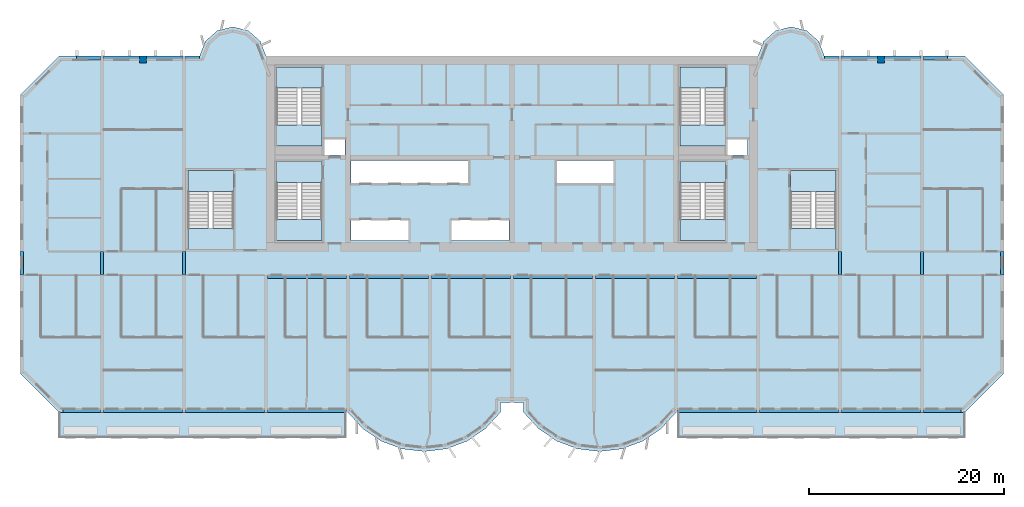
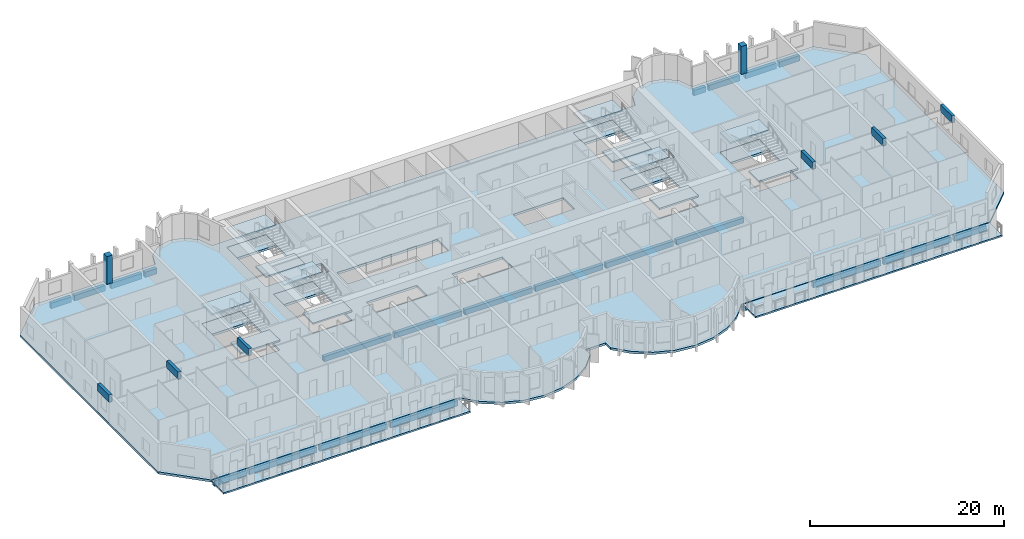
# One storey, part 1 of 15: 28 beams, 21 slabs, 2 columns, 6 elements without a shape of their own.
"""IFC4 building model written with IfcOpenShell, lengths in metres."""

import ifcopenshell
import ifcopenshell.guid

model = None  # the IFC model being written
_history = None  # IfcOwnerHistory: only IFC2X3 demands one
_inside = {}  # id of a spatial element -> (the spatial element, [elements in it])
_under = {}  # id of a project, library or spatial element -> (it, [spatial elements below it])
_declared = {}  # id of a project -> (the project, [libraries it declares])
_typed = {}  # id of a type object -> (the type object, [elements of that type])
_made_of = {}  # id of a material, layer set ... -> (it, [elements and type objects made of it])


def new_model(schema):
    """Start an empty IFC model of exactly this schema.

    Asked for "IFC4X3", IfcOpenShell would pick the latest addendum, in which some entities
    have other attributes; the version numbers below select the first issue.
    IFC2X3 requires an IfcOwnerHistory on every rooted entity: one is made here for all.
    """
    global model, _history
    if schema == "IFC4X3":
        model = ifcopenshell.file(schema_version=(4, 3, 0, 0))
    else:
        model = ifcopenshell.file(schema=schema)
    _inside.clear()
    _under.clear()
    _declared.clear()
    _typed.clear()
    _made_of.clear()
    _history = None
    if model.schema == "IFC2X3":
        org = make("IfcOrganization", Name="unknown")
        user = make(
            "IfcPersonAndOrganization",
            ThePerson=make("IfcPerson", FamilyName="unknown"),
            TheOrganization=org,
        )
        app = make(
            "IfcApplication",
            ApplicationDeveloper=org,
            Version="unknown",
            ApplicationFullName="unknown",
            ApplicationIdentifier="unknown",
        )
        _history = make(
            "IfcOwnerHistory",
            OwningUser=user,
            OwningApplication=app,
            ChangeAction="ADDED",
            CreationDate=0,
        )
    return model


def make(cls, **values):
    """One entity of the class cls with the attributes given. An attribute that is None is left unset."""
    return model.create_entity(
        cls, **{name: value for name, value in values.items() if value is not None}
    )


def rooted(cls, **values):
    """An entity with a GlobalId (a new one), such as an element, a storey or a relation."""
    return make(cls, GlobalId=ifcopenshell.guid.new(), OwnerHistory=_history, **values)


def si_unit(unit_type, name, prefix=None):
    """IfcSIUnit, for example si_unit("LENGTHUNIT", "METRE", prefix="MILLI")."""
    return make("IfcSIUnit", UnitType=unit_type, Prefix=prefix, Name=name)


def assignment(units):
    """IfcUnitAssignment: the units of a project."""
    return None if units is None else make("IfcUnitAssignment", Units=units)


def point(xyz):
    """IfcCartesianPoint."""
    return None if xyz is None else make("IfcCartesianPoint", Coordinates=xyz)


def direction(xyz):
    """IfcDirection."""
    return None if xyz is None else make("IfcDirection", DirectionRatios=xyz)


def frame(location, z_axis=None, x_axis=None):
    """IfcAxis2Placement3D, a coordinate frame: its origin and axes. An axis left out is left unset."""
    return make(
        "IfcAxis2Placement3D",
        Location=point(location),
        Axis=direction(z_axis),
        RefDirection=direction(x_axis),
    )


def frame_2d(location, x_axis=None):
    """IfcAxis2Placement2D, a coordinate frame in the plane: its origin and x axis."""
    return make(
        "IfcAxis2Placement2D", Location=point(location), RefDirection=direction(x_axis)
    )


def origin():
    """The frame at (0, 0, 0) with its axes left unset."""
    return frame((0.0, 0.0, 0.0))


def origin_2d():
    """The frame at (0, 0) in the plane with its x axis left unset."""
    return frame_2d((0.0, 0.0))


def place(relative_to, where):
    """IfcLocalPlacement: puts the frame where relative to a parent placement (None: the world)."""
    return make(
        "IfcLocalPlacement", PlacementRelTo=relative_to, RelativePlacement=where
    )


def context(
    kind, dimensions, precision=None, world=None, true_north=None, identifier=None
):
    """IfcGeometricRepresentationContext, for example the 3D "Model" context."""
    return make(
        "IfcGeometricRepresentationContext",
        ContextIdentifier=identifier,
        ContextType=kind,
        CoordinateSpaceDimension=dimensions,
        Precision=precision,
        WorldCoordinateSystem=world,
        TrueNorth=true_north,
    )


def subcontext(parent, identifier, kind, view, scale=None):
    """IfcGeometricRepresentationSubContext, for example "Body" below "Model"."""
    return make(
        "IfcGeometricRepresentationSubContext",
        ContextIdentifier=identifier,
        ContextType=kind,
        ParentContext=parent,
        TargetScale=scale,
        TargetView=view,
    )


def project(units=None, contexts=None):
    """IfcProject with its units and contexts."""
    return rooted(
        "IfcProject",
        Name="project",
        RepresentationContexts=contexts,
        UnitsInContext=assignment(units),
    )


def spatial(cls, under=None, at=None, **own):
    """A site, building, storey or space (cls), placed at a placement, below another one or the project."""
    s = rooted(cls, ObjectPlacement=at, **own)
    if under is not None:
        _under.setdefault(under.id(), (under, []))[1].append(s)
    return s


def polyline(points):
    """IfcPolyline through the points."""
    return make("IfcPolyline", Points=[point(p) for p in points])


def profile(cls, at=None, kind="AREA", **sizes):
    """A parametric profile (cls). Its sizes go by their IFC names, for example OverallWidth=200.0."""
    return make(cls, ProfileType=kind, Position=at, **sizes)


def rectangle(**sizes):
    """IfcRectangleProfileDef."""
    return profile("IfcRectangleProfileDef", **sizes)


def outline(outer, holes=None, kind="AREA"):
    """IfcArbitraryClosedProfileDef: a profile drawn as a closed curve; with holes, ...WithVoids."""
    if holes is None:
        return make("IfcArbitraryClosedProfileDef", ProfileType=kind, OuterCurve=outer)
    return make(
        "IfcArbitraryProfileDefWithVoids",
        ProfileType=kind,
        OuterCurve=outer,
        InnerCurves=holes,
    )


def extrude(swept, where, along, depth):
    """IfcExtrudedAreaSolid: the profile swept, set in the frame where, extruded along a direction by depth."""
    return make(
        "IfcExtrudedAreaSolid",
        SweptArea=swept,
        Position=where,
        ExtrudedDirection=direction(along),
        Depth=depth,
    )


def shape(context_of_items, identifier, shape_type, items):
    """IfcShapeRepresentation: the items that make up one representation, for example the "Body"."""
    return make(
        "IfcShapeRepresentation",
        ContextOfItems=context_of_items,
        RepresentationIdentifier=identifier,
        RepresentationType=shape_type,
        Items=items,
    )


def source(mapping_origin, context_of_items, identifier, shape_type, items):
    """IfcRepresentationMap: a shape defined once, which mapped items show again and again."""
    return make(
        "IfcRepresentationMap",
        MappingOrigin=mapping_origin,
        MappedRepresentation=shape(context_of_items, identifier, shape_type, items),
    )


def transform(
    local_origin,
    x_axis=None,
    y_axis=None,
    z_axis=None,
    scale=None,
    scale2=None,
    scale3=None,
    uniform=True,
):
    """IfcCartesianTransformationOperator3D, or its non-uniform kind. x_axis, y_axis, z_axis: its Axis1, 2, 3."""
    if uniform:
        return make(
            "IfcCartesianTransformationOperator3D",
            Axis1=direction(x_axis),
            Axis2=direction(y_axis),
            LocalOrigin=point(local_origin),
            Scale=scale,
            Axis3=direction(z_axis),
        )
    return make(
        "IfcCartesianTransformationOperator3DnonUniform",
        Axis1=direction(x_axis),
        Axis2=direction(y_axis),
        LocalOrigin=point(local_origin),
        Scale=scale,
        Axis3=direction(z_axis),
        Scale2=scale2,
        Scale3=scale3,
    )


def mapped(mapping_source, mapping_target):
    """IfcMappedItem: shows the shape of a source again, moved by a transform."""
    return make(
        "IfcMappedItem", MappingSource=mapping_source, MappingTarget=mapping_target
    )


def material(Name=None, Category=None):
    """IfcMaterial."""
    return make("IfcMaterial", Name=Name, Category=Category)


def layer(
    of_material, thickness, ventilated=None, Name=None, Category=None, Priority=None
):
    """IfcMaterialLayer: one layer of a wall or slab, of a material (None: an air gap)."""
    return make(
        "IfcMaterialLayer",
        Material=of_material,
        LayerThickness=thickness,
        IsVentilated=ventilated,
        Name=Name,
        Category=Category,
        Priority=Priority,
    )


def layer_set(layers, Name=None):
    """IfcMaterialLayerSet."""
    return make("IfcMaterialLayerSet", MaterialLayers=layers, LayerSetName=Name)


def material_profile(
    of_material, cross_section, Name=None, Category=None, Priority=None
):
    """IfcMaterialProfile: a cross section and its material."""
    return make(
        "IfcMaterialProfile",
        Name=Name,
        Material=of_material,
        Profile=cross_section,
        Priority=Priority,
        Category=Category,
    )


def profile_set(profiles, Name=None, composite=None):
    """IfcMaterialProfileSet."""
    return make(
        "IfcMaterialProfileSet",
        Name=Name,
        MaterialProfiles=profiles,
        CompositeProfile=composite,
    )


def made_of(thing, what):
    """Note that an element or type object is made of a material, layer set ...; save() writes the relation."""
    if what is not None:
        _made_of.setdefault(what.id(), (what, []))[1].append(thing)
    return thing


def type_object(cls, material=None, **own):
    """A type object (cls), such as IfcWallType, which elements share."""
    return made_of(rooted(cls, **own), material)


def element(
    cls,
    number,
    at=None,
    inside=None,
    cuts=None,
    type_object=None,
    material=None,
    context=None,
    identifier="Body",
    shape_type=None,
    held_by="IfcProductDefinitionShape",
    body=None,
    shapes=None,
    **own,
):
    """One element of the class cls, such as IfcWall. Its Tag is "e" and its number.

    at: its placement. inside: the storey or other place that contains it. cuts: it is an
    opening in that element (IfcRelVoidsElement). A single representation is given by context,
    identifier, shape_type and body (its items); several are given by shapes. held_by: the class
    of the entity that holds the representations. save() writes the other relations.
    """
    e = rooted(cls, Tag="e%d" % number, ObjectPlacement=at, **own)
    if body is not None:
        shapes = [shape(context, identifier, shape_type, body)]
    if shapes is not None:
        e.Representation = make(held_by, Representations=shapes)
    if inside is not None:
        _inside.setdefault(inside.id(), (inside, []))[1].append(e)
    if cuts is not None:
        rooted(
            "IfcRelVoidsElement", RelatingBuildingElement=cuts, RelatedOpeningElement=e
        )
    if type_object is not None:
        _typed.setdefault(type_object.id(), (type_object, []))[1].append(e)
    return made_of(e, material)


def aggregate(whole, parts):
    """IfcRelAggregates: a whole, such as a stair, and the parts it consists of."""
    return rooted("IfcRelAggregates", RelatingObject=whole, RelatedObjects=parts)


def save(model, path):
    """Write the relations noted so far, then the file.

    IfcRelAggregates (storeys below a building ...), IfcRelContainedInSpatialStructure (elements
    in a storey), IfcRelDefinesByType, IfcRelAssociatesMaterial and IfcRelDeclares: one each for
    every whole, place, type object, material and project.
    """
    for whole, parts in _under.values():
        aggregate(whole, parts)
    for where, things in _inside.values():
        rooted(
            "IfcRelContainedInSpatialStructure",
            RelatedElements=things,
            RelatingStructure=where,
        )
    for kind, things in _typed.values():
        rooted("IfcRelDefinesByType", RelatedObjects=things, RelatingType=kind)
    for what, things in _made_of.values():
        rooted("IfcRelAssociatesMaterial", RelatedObjects=things, RelatingMaterial=what)
    for by, libraries in _declared.values():
        rooted("IfcRelDeclares", RelatingContext=by, RelatedDefinitions=libraries)
    model.write(path)


model = new_model("IFC4")

# Units and contexts
model_context = context("Model", 3, precision=1e-05, world=origin(), true_north=direction((0.0, 1.0)))
body_context = subcontext(model_context, "Body", "Model", "MODEL_VIEW")
ifc_project = project(units=[si_unit("LENGTHUNIT", "METRE"), si_unit("AREAUNIT", "SQUARE_METRE"), si_unit("VOLUMEUNIT", "CUBIC_METRE"), si_unit("PLANEANGLEUNIT", "RADIAN"), si_unit("MASSUNIT", "GRAM", prefix="KILO")], contexts=[model_context])

# Site, building, storey
site_placement = place(None, origin())
site = spatial("IfcSite", under=ifc_project, at=site_placement, CompositionType="ELEMENT")
building_placement = place(site_placement, origin())
building = spatial("IfcBuilding", under=site, at=building_placement, Name="Vanashikhar Sky Hotel", CompositionType="ELEMENT")
storey_placement = place(building_placement, frame((0.0, 0.0, 133.199951171875)))
storey = spatial("IfcBuildingStorey", under=building, at=storey_placement, Name="L32", CompositionType="ELEMENT", Elevation=133.199951171875)

# Columns
ifc_material_1 = material(Name="Concrete M60", Category="concrete")
ifc_material_profile_1 = material_profile(ifc_material_1, rectangle(XDim=0.699951171875, YDim=0.699951171875, at=origin_2d()))
ifc_profile_set_1 = profile_set([ifc_material_profile_1], Name="RC 700x700 column Concrete M60")
column_type = type_object("IfcColumnType", Name="RC 700x700 column Concrete M60", PredefinedType="COLUMN", material=ifc_profile_set_1)
shared_shape_1 = source(origin(), body_context, "Body", "SweptSolid", [
    extrude(rectangle(XDim=0.699951171875, YDim=0.699951171875, at=origin_2d()), origin(), (0.0, 0.0, 1.0), 3.52001953125),
])
for number, where, z_axis, x_axis, name in (
    (1, (12.60009765625, 41.64990234375, 0.0), (0.0, 0.0, 1.0), (1.0, 0.0, 0.0), "CL-L32-CR02"),
    (2, (88.199951171875, 41.64990234375, 0.0), (0.0, 0.0, 1.0), (1.0, 0.0, 0.0), "CL-L32-CR11"),
):
    element("IfcColumn", number, at=place(storey_placement, frame(where, z_axis=z_axis, x_axis=x_axis)), inside=storey, type_object=column_type, Name=name, PredefinedType="COLUMN", context=body_context, shape_type="MappedRepresentation", body=[
        mapped(shared_shape_1, transform((0.0, 0.0, 0.0), scale=1.0)),
    ])

# Beams
ifc_material_2 = material(Name="Concrete M50", Category="concrete")
ifc_material_profile_2 = material_profile(ifc_material_2, rectangle(XDim=0.35009765625, YDim=0.89990234375, at=origin_2d()))
ifc_profile_set_2 = profile_set([ifc_material_profile_2], Name="RC 350x900 beam Concrete M50")
beam_type_1 = type_object("IfcBeamType", Name="RC 350x900 beam Concrete M50", PredefinedType="LINTEL", material=ifc_profile_set_2)
shared_shape_2 = source(origin(), body_context, "Body", "SweptSolid", [
    extrude(rectangle(XDim=0.35009765625, YDim=0.89990234375, at=origin_2d()), origin(), (0.0, 0.0, 1.0), 2.39990234375),
])
for number, where, z_axis, x_axis, name in (
    (3, (0.175048828125, 19.60009765625, 3.070068359375), (0.0, 1.0, 0.0), (-1.0, 0.0, 0.0), "LB-L32-XW01"),
    (4, (8.39990234375, 19.60009765625, 3.070068359375), (0.0, 1.0, 0.0), (-1.0, 0.0, 0.0), "LB-L32-XW02"),
    (5, (16.800048828125, 19.60009765625, 3.070068359375), (0.0, 1.0, 0.0), (-1.0, 0.0, 0.0), "LB-L32-XW03"),
    (6, (84.0, 19.60009765625, 3.070068359375), (0.0, 1.0, 0.0), (-1.0, 0.0, 0.0), "LB-L32-XW11"),
    (7, (92.39990234375, 19.60009765625, 3.070068359375), (0.0, 1.0, 0.0), (-1.0, 0.0, 0.0), "LB-L32-XW12"),
    (8, (100.625, 19.60009765625, 3.070068359375), (0.0, 1.0, 0.0), (-1.0, 0.0, 0.0), "LB-L32-XW13"),
):
    element("IfcBeam", number, at=place(storey_placement, frame(where, z_axis=z_axis, x_axis=x_axis)), inside=storey, type_object=beam_type_1, Name=name, PredefinedType="LINTEL", context=body_context, shape_type="MappedRepresentation", body=[
        mapped(shared_shape_2, transform((0.0, 0.0, 0.0), scale=1.0)),
    ])
ifc_material_profile_3 = material_profile(ifc_material_2, rectangle(XDim=0.39990234375, YDim=0.699951171875, at=origin_2d()))
ifc_profile_set_3 = profile_set([ifc_material_profile_3], Name="RC 400x700 beam Concrete M50")
beam_type_2 = type_object("IfcBeamType", Name="RC 400x700 beam Concrete M50", PredefinedType="SPANDREL", material=ifc_profile_set_3)
shared_shape_3 = source(origin(), body_context, "Body", "SweptSolid", [
    extrude(rectangle(XDim=0.39990234375, YDim=0.699951171875, at=origin_2d()), origin(), (0.0, 0.0, 1.0), 8.050048828125),
])
for number, where, z_axis, x_axis, name in (
    (9, (8.574951171875, 5.699951171875, -0.6298828125), (1.0, 0.0, 0.0), (0.0, 1.0, 0.0), "EB-L32-F01"),
    (10, (25.375, 5.699951171875, -0.6298828125), (1.0, 0.0, 0.0), (0.0, 1.0, 0.0), "EB-L32-F03"),
    (11, (67.375, 5.699951171875, -0.6298828125), (1.0, 0.0, 0.0), (0.0, 1.0, 0.0), "EB-L32-F05"),
    (12, (75.77490234375, 5.699951171875, -0.6298828125), (1.0, 0.0, 0.0), (0.0, 1.0, 0.0), "EB-L32-F06"),
    (13, (84.175048828125, 5.699951171875, -0.6298828125), (1.0, 0.0, 0.0), (0.0, 1.0, 0.0), "EB-L32-F07"),
):
    element("IfcBeam", number, at=place(storey_placement, frame(where, z_axis=z_axis, x_axis=x_axis)), inside=storey, type_object=beam_type_2, Name=name, PredefinedType="SPANDREL", context=body_context, shape_type="MappedRepresentation", body=[
        mapped(shared_shape_3, transform((0.0, 0.0, 0.0), scale=1.0)),
    ])
shared_shape_4 = source(origin(), body_context, "Body", "SweptSolid", [
    extrude(rectangle(XDim=0.39990234375, YDim=0.699951171875, at=origin_2d()), origin(), (0.0, 0.0, 1.0), 8.0498046875),
])
beam_1_placement = place(storey_placement, frame((16.97509765625, 5.699951171875, -0.6298828125), z_axis=(1.0, 0.0, 0.0), x_axis=(0.0, 1.0, 0.0)))
element("IfcBeam", 14, at=beam_1_placement, inside=storey, type_object=beam_type_2, Name="EB-L32-F02", PredefinedType="SPANDREL", context=body_context, shape_type="MappedRepresentation", body=[
    mapped(shared_shape_4, transform((0.0, 0.0, 0.0), scale=1.0)),
])
ifc_material_profile_4 = material_profile(ifc_material_2, rectangle(XDim=0.39990234375, YDim=0.699951171875, at=origin_2d()))
ifc_profile_set_4 = profile_set([ifc_material_profile_4], Name="RC 400x700 cantilever beam Concrete M50")
beam_type_3 = type_object("IfcBeamType", Name="RC 400x700 cantilever beam Concrete M50", PredefinedType="SPANDREL", material=ifc_profile_set_4)
shared_shape_5 = source(origin(), body_context, "Body", "SweptSolid", [
    extrude(rectangle(XDim=0.39990234375, YDim=0.699951171875, at=origin_2d()), origin(), (0.0, 0.0, 1.0), 3.8251953125),
])
beam_2_placement = place(storey_placement, frame((4.39990234375, 5.699951171875, -0.6298828125), z_axis=(1.0, 0.0, 0.0), x_axis=(0.0, 1.0, 0.0)))
element("IfcBeam", 15, at=beam_2_placement, inside=storey, type_object=beam_type_3, Name="EB-L32-F04", PredefinedType="SPANDREL", context=body_context, shape_type="MappedRepresentation", body=[
    mapped(shared_shape_5, transform((0.0, 0.0, 0.0), scale=1.0)),
])
shared_shape_6 = source(origin(), body_context, "Body", "SweptSolid", [
    extrude(rectangle(XDim=0.39990234375, YDim=0.699951171875, at=origin_2d()), origin(), (0.0, 0.0, 1.0), 3.824951171875),
])
beam_3_placement = place(storey_placement, frame((92.574951171875, 5.699951171875, -0.6298828125), z_axis=(1.0, 0.0, 0.0), x_axis=(0.0, 1.0, 0.0)))
element("IfcBeam", 16, at=beam_3_placement, inside=storey, type_object=beam_type_3, Name="EB-L32-F08", PredefinedType="SPANDREL", context=body_context, shape_type="MappedRepresentation", body=[
    mapped(shared_shape_6, transform((0.0, 0.0, 0.0), scale=1.0)),
])
shared_shape_7 = source(origin(), body_context, "Body", "SweptSolid", [
    extrude(rectangle(XDim=0.39990234375, YDim=0.699951171875, at=origin_2d()), origin(), (0.0, 0.0, 1.0), 3.675048828125),
])
for number, where, z_axis, x_axis, name in (
    (17, (8.574951171875, 41.800048828125, -0.6298828125), (1.0, 0.0, 0.0), (0.0, 1.0, 0.0), "EB-L32-R01"),
    (18, (12.949951171875, 41.800048828125, -0.6298828125), (1.0, 0.0, 0.0), (0.0, 1.0, 0.0), "EB-L32-R02"),
    (19, (84.175048828125, 41.800048828125, -0.6298828125), (1.0, 0.0, 0.0), (0.0, 1.0, 0.0), "EB-L32-R05"),
    (20, (88.550048828125, 41.800048828125, -0.6298828125), (1.0, 0.0, 0.0), (0.0, 1.0, 0.0), "EB-L32-R06"),
):
    element("IfcBeam", number, at=place(storey_placement, frame(where, z_axis=z_axis, x_axis=x_axis)), inside=storey, type_object=beam_type_2, Name=name, PredefinedType="SPANDREL", context=body_context, shape_type="MappedRepresentation", body=[
        mapped(shared_shape_7, transform((0.0, 0.0, 0.0), scale=1.0)),
    ])
shared_shape_8 = source(origin(), body_context, "Body", "SweptSolid", [
    extrude(rectangle(XDim=0.39990234375, YDim=0.699951171875, at=origin_2d()), origin(), (0.0, 0.0, 1.0), 2.43017578125),
])
beam_4_placement = place(storey_placement, frame((5.794921875, 41.800048828125, -0.6298828125), z_axis=(1.0, 0.0, 0.0), x_axis=(0.0, 1.0, 0.0)))
element("IfcBeam", 21, at=beam_4_placement, inside=storey, type_object=beam_type_3, Name="EB-L32-R03", PredefinedType="SPANDREL", context=body_context, shape_type="MappedRepresentation", body=[
    mapped(shared_shape_8, transform((0.0, 0.0, 0.0), scale=1.0)),
])
shared_shape_9 = source(origin(), body_context, "Body", "SweptSolid", [
    extrude(rectangle(XDim=0.39990234375, YDim=0.699951171875, at=origin_2d()), origin(), (0.0, 0.0, 1.0), 1.4248046875),
])
beam_5_placement = place(storey_placement, frame((16.97509765625, 41.800048828125, -0.6298828125), z_axis=(1.0, 0.0, 0.0), x_axis=(0.0, 1.0, 0.0)))
element("IfcBeam", 22, at=beam_5_placement, inside=storey, type_object=beam_type_3, Name="EB-L32-R04", PredefinedType="SPANDREL", context=body_context, shape_type="MappedRepresentation", body=[
    mapped(shared_shape_9, transform((0.0, 0.0, 0.0), scale=1.0)),
])
shared_shape_10 = source(origin(), body_context, "Body", "SweptSolid", [
    extrude(rectangle(XDim=0.39990234375, YDim=0.699951171875, at=origin_2d()), origin(), (0.0, 0.0, 1.0), 1.425048828125),
])
beam_6_placement = place(storey_placement, frame((82.39990234375, 41.800048828125, -0.6298828125), z_axis=(1.0, 0.0, 0.0), x_axis=(0.0, 1.0, 0.0)))
element("IfcBeam", 23, at=beam_6_placement, inside=storey, type_object=beam_type_3, Name="EB-L32-R07", PredefinedType="SPANDREL", context=body_context, shape_type="MappedRepresentation", body=[
    mapped(shared_shape_10, transform((0.0, 0.0, 0.0), scale=1.0)),
])
shared_shape_11 = source(origin(), body_context, "Body", "SweptSolid", [
    extrude(rectangle(XDim=0.39990234375, YDim=0.699951171875, at=origin_2d()), origin(), (0.0, 0.0, 1.0), 2.429931640625),
])
beam_7_placement = place(storey_placement, frame((92.574951171875, 41.800048828125, -0.6298828125), z_axis=(1.0, 0.0, 0.0), x_axis=(0.0, 1.0, 0.0)))
element("IfcBeam", 24, at=beam_7_placement, inside=storey, type_object=beam_type_3, Name="EB-L32-R08", PredefinedType="SPANDREL", context=body_context, shape_type="MappedRepresentation", body=[
    mapped(shared_shape_11, transform((0.0, 0.0, 0.0), scale=1.0)),
])
ifc_material_profile_5 = material_profile(ifc_material_2, rectangle(XDim=0.39990234375, YDim=0.64990234375, at=origin_2d()))
ifc_profile_set_5 = profile_set([ifc_material_profile_5], Name="RC 400x650 beam Concrete M50")
beam_type_4 = type_object("IfcBeamType", Name="RC 400x650 beam Concrete M50", PredefinedType="BEAM", material=ifc_profile_set_5)
shared_shape_12 = source(origin(), body_context, "Body", "SweptSolid", [
    extrude(rectangle(XDim=0.39990234375, YDim=0.64990234375, at=origin_2d()), origin(), (0.0, 0.0, 1.0), 8.050048828125),
])
for number, where, z_axis, x_axis, name in (
    (25, (25.375, 19.39990234375, -0.60498046875), (1.0, 0.0, 0.0), (0.0, 1.0, 0.0), "CB-L32-01"),
    (26, (33.77490234375, 19.39990234375, -0.60498046875), (1.0, 0.0, 0.0), (0.0, 1.0, 0.0), "CB-L32-02"),
    (27, (42.175048828125, 19.39990234375, -0.60498046875), (1.0, 0.0, 0.0), (0.0, 1.0, 0.0), "CB-L32-03"),
    (28, (50.574951171875, 19.39990234375, -0.60498046875), (1.0, 0.0, 0.0), (0.0, 1.0, 0.0), "CB-L32-04"),
    (29, (67.375, 19.39990234375, -0.60498046875), (1.0, 0.0, 0.0), (0.0, 1.0, 0.0), "CB-L32-06"),
):
    element("IfcBeam", number, at=place(storey_placement, frame(where, z_axis=z_axis, x_axis=x_axis)), inside=storey, type_object=beam_type_4, Name=name, PredefinedType="BEAM", context=body_context, shape_type="MappedRepresentation", body=[
        mapped(shared_shape_12, transform((0.0, 0.0, 0.0), scale=1.0)),
    ])
shared_shape_13 = source(origin(), body_context, "Body", "SweptSolid", [
    extrude(rectangle(XDim=0.39990234375, YDim=0.64990234375, at=origin_2d()), origin(), (0.0, 0.0, 1.0), 8.0498046875),
])
beam_8_placement = place(storey_placement, frame((58.97509765625, 19.39990234375, -0.60498046875), z_axis=(1.0, 0.0, 0.0), x_axis=(0.0, 1.0, 0.0)))
element("IfcBeam", 30, at=beam_8_placement, inside=storey, type_object=beam_type_4, Name="CB-L32-05", PredefinedType="BEAM", context=body_context, shape_type="MappedRepresentation", body=[
    mapped(shared_shape_13, transform((0.0, 0.0, 0.0), scale=1.0)),
])

# Slabs
ifc_material_3 = material(Name="Concrete M40", Category="concrete")
ifc_layer_1 = layer(ifc_material_3, 0.280029296875)
ifc_layer_set_1 = layer_set([ifc_layer_1], Name="Floor slab 280 mm")
slab_type_1 = type_object("IfcSlabType", Name="Floor slab 280 mm", PredefinedType="FLOOR", material=ifc_layer_set_1)
shared_shape_14 = source(origin(), body_context, "Body", "SweptSolid", [
    extrude(outline(polyline([(49.199951171875, 5.5), (49.199951171875, 6.5), (51.60009765625, 6.5), (51.60009765625, 5.5), (53.133056640625, 3.825927734375), (55.01708984375, 2.55810546875), (57.14599609375, 1.76806640625), (59.39990234375, 1.5), (61.654052734375, 1.76806640625), (63.782958984375, 2.55810546875), (65.6669921875, 3.825927734375), (67.199951171875, 5.5), (96.800048828125, 5.5), (100.800048828125, 9.5), (100.800048828125, 38.0), (96.800048828125, 42.0), (82.39990234375, 42.0), (81.81494140625, 43.527099609375), (80.587890625, 44.610107421875), (79.0, 45.0), (77.412109375, 44.610107421875), (76.18505859375, 43.527099609375), (75.60009765625, 42.0), (25.199951171875, 42.0), (24.614990234375, 43.527099609375), (23.387939453125, 44.610107421875), (21.800048828125, 45.0), (20.2119140625, 44.610107421875), (18.985107421875, 43.527099609375), (18.39990234375, 42.0), (4.0, 42.0), (0.0, 38.0), (0.0, 9.5), (4.0, 5.5), (33.60009765625, 5.5), (35.133056640625, 3.825927734375), (37.01708984375, 2.55810546875), (39.14599609375, 1.76806640625), (41.39990234375, 1.5), (43.654052734375, 1.76806640625), (45.782958984375, 2.55810546875), (47.6669921875, 3.825927734375), (49.199951171875, 5.5)]), holes=[polyline([(33.300048828125, 33.60009765625), (31.050048828125, 33.60009765625), (31.050048828125, 31.89990234375), (33.300048828125, 31.89990234375), (33.300048828125, 33.60009765625)]), polyline([(33.89990234375, 25.199951171875), (33.89990234375, 23.10009765625), (39.89990234375, 23.10009765625), (39.89990234375, 25.199951171875), (33.89990234375, 25.199951171875)]), polyline([(33.89990234375, 31.300048828125), (33.89990234375, 29.0), (45.89990234375, 29.0), (45.89990234375, 31.300048828125), (33.89990234375, 31.300048828125)]), polyline([(44.10009765625, 25.199951171875), (44.10009765625, 23.10009765625), (50.10009765625, 23.10009765625), (50.10009765625, 25.199951171875), (44.10009765625, 25.199951171875)]), polyline([(54.89990234375, 31.300048828125), (54.89990234375, 29.0), (60.89990234375, 29.0), (60.89990234375, 31.300048828125), (54.89990234375, 31.300048828125)]), polyline([(74.5, 33.60009765625), (72.35009765625, 33.60009765625), (72.35009765625, 31.89990234375), (74.5, 31.89990234375), (74.5, 33.60009765625)]), polyline([(30.949951171875, 23.10009765625), (30.949951171875, 31.199951171875), (26.300048828125, 31.199951171875), (26.300048828125, 23.10009765625), (30.949951171875, 23.10009765625)]), polyline([(72.25, 23.10009765625), (72.25, 31.199951171875), (67.60009765625, 31.199951171875), (67.60009765625, 23.10009765625), (72.25, 23.10009765625)]), polyline([(30.949951171875, 32.800048828125), (30.949951171875, 40.89990234375), (26.300048828125, 40.89990234375), (26.300048828125, 32.800048828125), (30.949951171875, 32.800048828125)]), polyline([(72.25, 32.800048828125), (72.25, 40.89990234375), (67.60009765625, 40.89990234375), (67.60009765625, 32.800048828125), (72.25, 32.800048828125)]), polyline([(83.60009765625, 22.199951171875), (83.60009765625, 30.300048828125), (78.949951171875, 30.300048828125), (78.949951171875, 22.199951171875), (83.60009765625, 22.199951171875)]), polyline([(21.85009765625, 22.199951171875), (21.85009765625, 30.300048828125), (17.199951171875, 30.300048828125), (17.199951171875, 22.199951171875), (21.85009765625, 22.199951171875)])]), origin(), (0.0, 0.0, 1.0), 0.280029296875),
])
slab_1_placement = place(storey_placement, frame((0.0, 0.0, -0.280029296875)))
element("IfcSlab", 31, at=slab_1_placement, inside=storey, type_object=slab_type_1, Name="Floor slab L32", PredefinedType="FLOOR", context=body_context, shape_type="MappedRepresentation", body=[
    mapped(shared_shape_14, transform((0.0, 0.0, 0.0), scale=1.0)),
])
ifc_layer_2 = layer(ifc_material_3, 0.199951171875)
ifc_layer_set_2 = layer_set([ifc_layer_2], Name="Balcony slab 200 mm")
slab_type_2 = type_object("IfcSlabType", Name="Balcony slab 200 mm", PredefinedType="USERDEFINED", material=ifc_layer_set_2)
shared_shape_15 = source(origin(), body_context, "Body", "SweptSolid", [
    extrude(outline(polyline([(4.0, 2.89990234375), (33.39990234375, 2.89990234375), (33.39990234375, 5.5), (4.0, 5.5), (4.0, 2.89990234375)])), origin(), (0.0, 0.0, 1.0), 0.199951171875),
])
slab_2_placement = place(storey_placement, frame((0.0, 0.0, -0.25)))
element("IfcSlab", 32, at=slab_2_placement, inside=storey, type_object=slab_type_2, Name="Balcony slab L32 1", ObjectType="BALCONY", PredefinedType="USERDEFINED", context=body_context, shape_type="MappedRepresentation", body=[
    mapped(shared_shape_15, transform((0.0, 0.0, 0.0), scale=1.0)),
])
shared_shape_16 = source(origin(), body_context, "Body", "SweptSolid", [
    extrude(outline(polyline([(67.39990234375, 2.89990234375), (96.800048828125, 2.89990234375), (96.800048828125, 5.5), (67.39990234375, 5.5), (67.39990234375, 2.89990234375)])), origin(), (0.0, 0.0, 1.0), 0.199951171875),
])
slab_3_placement = place(storey_placement, frame((0.0, 0.0, -0.25)))
element("IfcSlab", 33, at=slab_3_placement, inside=storey, type_object=slab_type_2, Name="Balcony slab L32 2", ObjectType="BALCONY", PredefinedType="USERDEFINED", context=body_context, shape_type="MappedRepresentation", body=[
    mapped(shared_shape_16, transform((0.0, 0.0, 0.0), scale=1.0)),
])

# Stair, slabs
stair_type = type_object("IfcStairType", Name="Exit stair 2150", PredefinedType="DOUBLE_RETURN_STAIR", material=ifc_material_3)
stair_1_placement = place(storey_placement, origin())
stair_1 = element("IfcStair", 34, at=stair_1_placement, inside=storey, type_object=stair_type, Name="L32 Exit stair 1", PredefinedType="DOUBLE_RETURN_STAIR")
ifc_layer_3 = layer(ifc_material_3, 0.199951171875)
ifc_layer_set_3 = layer_set([ifc_layer_3], Name="Stair landing 200")
slab_type_3 = type_object("IfcSlabType", Name="Stair landing 200", PredefinedType="LANDING", material=ifc_layer_set_3)
shared_shape_17 = source(origin(), body_context, "Body", "SweptSolid", [
    extrude(outline(polyline([(30.949951171875, 29.050048828125), (30.949951171875, 31.199951171875), (26.300048828125, 31.199951171875), (26.300048828125, 29.050048828125), (30.949951171875, 29.050048828125)])), origin(), (0.0, 0.0, 1.0), 0.199951171875),
])
slab_4_placement = place(storey_placement, frame((0.0, 0.0, 2.33349609375)))
slab_4 = element("IfcSlab", 35, at=slab_4_placement, type_object=slab_type_3, Name="ST-C1 landing 2", PredefinedType="LANDING", context=body_context, shape_type="MappedRepresentation", body=[
    mapped(shared_shape_17, transform((0.0, 0.0, 0.0), scale=1.0)),
])
shared_shape_18 = source(origin(), body_context, "Body", "SweptSolid", [
    extrude(outline(polyline([(30.949951171875, 23.10009765625), (30.949951171875, 25.25), (26.300048828125, 25.25), (26.300048828125, 23.10009765625), (30.949951171875, 23.10009765625)])), origin(), (0.0, 0.0, 1.0), 0.199951171875),
])
slab_5_placement = place(storey_placement, frame((0.0, 0.0, 1.066650390625)))
slab_5 = element("IfcSlab", 36, at=slab_5_placement, type_object=slab_type_3, Name="ST-C1 landing 1", PredefinedType="LANDING", context=body_context, shape_type="MappedRepresentation", body=[
    mapped(shared_shape_18, transform((0.0, 0.0, 0.0), scale=1.0)),
])
aggregate(stair_1, [slab_5, slab_4])

# Slab
ifc_layer_4 = layer(ifc_material_3, 0.280029296875)
ifc_layer_set_4 = layer_set([ifc_layer_4], Name="Stair floor landing 280")
slab_type_4 = type_object("IfcSlabType", Name="Stair floor landing 280", PredefinedType="LANDING", material=ifc_layer_set_4)
shared_shape_19 = source(origin(), body_context, "Body", "SweptSolid", [
    extrude(outline(polyline([(30.949951171875, 29.050048828125), (30.949951171875, 31.199951171875), (26.300048828125, 31.199951171875), (26.300048828125, 29.050048828125), (30.949951171875, 29.050048828125)])), origin(), (0.0, 0.0, 1.0), 0.280029296875),
])
slab_6_placement = place(storey_placement, frame((0.0, 0.0, -0.280029296875)))
element("IfcSlab", 37, at=slab_6_placement, inside=storey, type_object=slab_type_4, Name="Exit stair 1 floor landing", PredefinedType="LANDING", context=body_context, shape_type="MappedRepresentation", body=[
    mapped(shared_shape_19, transform((0.0, 0.0, 0.0), scale=1.0)),
])

# Stair, slabs
stair_2_placement = place(storey_placement, origin())
stair_2 = element("IfcStair", 38, at=stair_2_placement, inside=storey, type_object=stair_type, Name="L32 Exit stair 2", PredefinedType="DOUBLE_RETURN_STAIR")
shared_shape_20 = source(origin(), body_context, "Body", "SweptSolid", [
    extrude(outline(polyline([(72.25, 29.050048828125), (72.25, 31.199951171875), (67.60009765625, 31.199951171875), (67.60009765625, 29.050048828125), (72.25, 29.050048828125)])), origin(), (0.0, 0.0, 1.0), 0.199951171875),
])
slab_7_placement = place(storey_placement, frame((0.0, 0.0, 2.33349609375)))
slab_7 = element("IfcSlab", 39, at=slab_7_placement, type_object=slab_type_3, Name="ST-C2 landing 2", PredefinedType="LANDING", context=body_context, shape_type="MappedRepresentation", body=[
    mapped(shared_shape_20, transform((0.0, 0.0, 0.0), scale=1.0)),
])
shared_shape_21 = source(origin(), body_context, "Body", "SweptSolid", [
    extrude(outline(polyline([(72.25, 23.10009765625), (72.25, 25.25), (67.60009765625, 25.25), (67.60009765625, 23.10009765625), (72.25, 23.10009765625)])), origin(), (0.0, 0.0, 1.0), 0.199951171875),
])
slab_8_placement = place(storey_placement, frame((0.0, 0.0, 1.066650390625)))
slab_8 = element("IfcSlab", 40, at=slab_8_placement, type_object=slab_type_3, Name="ST-C2 landing 1", PredefinedType="LANDING", context=body_context, shape_type="MappedRepresentation", body=[
    mapped(shared_shape_21, transform((0.0, 0.0, 0.0), scale=1.0)),
])
aggregate(stair_2, [slab_8, slab_7])

# Slab
shared_shape_22 = source(origin(), body_context, "Body", "SweptSolid", [
    extrude(outline(polyline([(72.25, 29.050048828125), (72.25, 31.199951171875), (67.60009765625, 31.199951171875), (67.60009765625, 29.050048828125), (72.25, 29.050048828125)])), origin(), (0.0, 0.0, 1.0), 0.280029296875),
])
slab_9_placement = place(storey_placement, frame((0.0, 0.0, -0.280029296875)))
element("IfcSlab", 41, at=slab_9_placement, inside=storey, type_object=slab_type_4, Name="Exit stair 2 floor landing", PredefinedType="LANDING", context=body_context, shape_type="MappedRepresentation", body=[
    mapped(shared_shape_22, transform((0.0, 0.0, 0.0), scale=1.0)),
])

# Stair, slabs
stair_3_placement = place(storey_placement, origin())
stair_3 = element("IfcStair", 42, at=stair_3_placement, inside=storey, type_object=stair_type, Name="L32 Exit stair 3", PredefinedType="DOUBLE_RETURN_STAIR")
shared_shape_23 = source(origin(), body_context, "Body", "SweptSolid", [
    extrude(outline(polyline([(21.85009765625, 28.14990234375), (21.85009765625, 30.300048828125), (17.199951171875, 30.300048828125), (17.199951171875, 28.14990234375), (21.85009765625, 28.14990234375)])), origin(), (0.0, 0.0, 1.0), 0.199951171875),
])
slab_10_placement = place(storey_placement, frame((0.0, 0.0, 2.33349609375)))
slab_10 = element("IfcSlab", 43, at=slab_10_placement, type_object=slab_type_3, Name="ST-W landing 2", PredefinedType="LANDING", context=body_context, shape_type="MappedRepresentation", body=[
    mapped(shared_shape_23, transform((0.0, 0.0, 0.0), scale=1.0)),
])
shared_shape_24 = source(origin(), body_context, "Body", "SweptSolid", [
    extrude(outline(polyline([(21.85009765625, 22.199951171875), (21.85009765625, 24.35009765625), (17.199951171875, 24.35009765625), (17.199951171875, 22.199951171875), (21.85009765625, 22.199951171875)])), origin(), (0.0, 0.0, 1.0), 0.199951171875),
])
slab_11_placement = place(storey_placement, frame((0.0, 0.0, 1.066650390625)))
slab_11 = element("IfcSlab", 44, at=slab_11_placement, type_object=slab_type_3, Name="ST-W landing 1", PredefinedType="LANDING", context=body_context, shape_type="MappedRepresentation", body=[
    mapped(shared_shape_24, transform((0.0, 0.0, 0.0), scale=1.0)),
])
aggregate(stair_3, [slab_11, slab_10])

# Slab
shared_shape_25 = source(origin(), body_context, "Body", "SweptSolid", [
    extrude(outline(polyline([(21.85009765625, 28.14990234375), (21.85009765625, 30.300048828125), (17.199951171875, 30.300048828125), (17.199951171875, 28.14990234375), (21.85009765625, 28.14990234375)])), origin(), (0.0, 0.0, 1.0), 0.280029296875),
])
slab_12_placement = place(storey_placement, frame((0.0, 0.0, -0.280029296875)))
element("IfcSlab", 45, at=slab_12_placement, inside=storey, type_object=slab_type_4, Name="Exit stair 3 floor landing", PredefinedType="LANDING", context=body_context, shape_type="MappedRepresentation", body=[
    mapped(shared_shape_25, transform((0.0, 0.0, 0.0), scale=1.0)),
])

# Stair, slabs
stair_4_placement = place(storey_placement, origin())
stair_4 = element("IfcStair", 46, at=stair_4_placement, inside=storey, type_object=stair_type, Name="L32 Exit stair 4", PredefinedType="DOUBLE_RETURN_STAIR")
shared_shape_26 = source(origin(), body_context, "Body", "SweptSolid", [
    extrude(outline(polyline([(83.60009765625, 28.14990234375), (83.60009765625, 30.300048828125), (78.949951171875, 30.300048828125), (78.949951171875, 28.14990234375), (83.60009765625, 28.14990234375)])), origin(), (0.0, 0.0, 1.0), 0.199951171875),
])
slab_13_placement = place(storey_placement, frame((0.0, 0.0, 2.33349609375)))
slab_13 = element("IfcSlab", 47, at=slab_13_placement, type_object=slab_type_3, Name="ST-E landing 2", PredefinedType="LANDING", context=body_context, shape_type="MappedRepresentation", body=[
    mapped(shared_shape_26, transform((0.0, 0.0, 0.0), scale=1.0)),
])
shared_shape_27 = source(origin(), body_context, "Body", "SweptSolid", [
    extrude(outline(polyline([(83.60009765625, 22.199951171875), (83.60009765625, 24.35009765625), (78.949951171875, 24.35009765625), (78.949951171875, 22.199951171875), (83.60009765625, 22.199951171875)])), origin(), (0.0, 0.0, 1.0), 0.199951171875),
])
slab_14_placement = place(storey_placement, frame((0.0, 0.0, 1.066650390625)))
slab_14 = element("IfcSlab", 48, at=slab_14_placement, type_object=slab_type_3, Name="ST-E landing 1", PredefinedType="LANDING", context=body_context, shape_type="MappedRepresentation", body=[
    mapped(shared_shape_27, transform((0.0, 0.0, 0.0), scale=1.0)),
])
aggregate(stair_4, [slab_14, slab_13])

# Slab
shared_shape_28 = source(origin(), body_context, "Body", "SweptSolid", [
    extrude(outline(polyline([(83.60009765625, 28.14990234375), (83.60009765625, 30.300048828125), (78.949951171875, 30.300048828125), (78.949951171875, 28.14990234375), (83.60009765625, 28.14990234375)])), origin(), (0.0, 0.0, 1.0), 0.280029296875),
])
slab_15_placement = place(storey_placement, frame((0.0, 0.0, -0.280029296875)))
element("IfcSlab", 49, at=slab_15_placement, inside=storey, type_object=slab_type_4, Name="Exit stair 4 floor landing", PredefinedType="LANDING", context=body_context, shape_type="MappedRepresentation", body=[
    mapped(shared_shape_28, transform((0.0, 0.0, 0.0), scale=1.0)),
])

# Stair, slabs
stair_5_placement = place(storey_placement, origin())
stair_5 = element("IfcStair", 50, at=stair_5_placement, inside=storey, type_object=stair_type, Name="L32 Exit stair 5", PredefinedType="DOUBLE_RETURN_STAIR")
shared_shape_29 = source(origin(), body_context, "Body", "SweptSolid", [
    extrude(outline(polyline([(30.949951171875, 38.75), (30.949951171875, 40.89990234375), (26.300048828125, 40.89990234375), (26.300048828125, 38.75), (30.949951171875, 38.75)])), origin(), (0.0, 0.0, 1.0), 0.199951171875),
])
slab_16_placement = place(storey_placement, frame((0.0, 0.0, 2.33349609375)))
slab_16 = element("IfcSlab", 51, at=slab_16_placement, type_object=slab_type_3, Name="ST-C3 landing 2", PredefinedType="LANDING", context=body_context, shape_type="MappedRepresentation", body=[
    mapped(shared_shape_29, transform((0.0, 0.0, 0.0), scale=1.0)),
])
shared_shape_30 = source(origin(), body_context, "Body", "SweptSolid", [
    extrude(outline(polyline([(30.949951171875, 32.800048828125), (30.949951171875, 34.949951171875), (26.300048828125, 34.949951171875), (26.300048828125, 32.800048828125), (30.949951171875, 32.800048828125)])), origin(), (0.0, 0.0, 1.0), 0.199951171875),
])
slab_17_placement = place(storey_placement, frame((0.0, 0.0, 1.066650390625)))
slab_17 = element("IfcSlab", 52, at=slab_17_placement, type_object=slab_type_3, Name="ST-C3 landing 1", PredefinedType="LANDING", context=body_context, shape_type="MappedRepresentation", body=[
    mapped(shared_shape_30, transform((0.0, 0.0, 0.0), scale=1.0)),
])
aggregate(stair_5, [slab_17, slab_16])

# Slab
shared_shape_31 = source(origin(), body_context, "Body", "SweptSolid", [
    extrude(outline(polyline([(30.949951171875, 38.75), (30.949951171875, 40.89990234375), (26.300048828125, 40.89990234375), (26.300048828125, 38.75), (30.949951171875, 38.75)])), origin(), (0.0, 0.0, 1.0), 0.280029296875),
])
slab_18_placement = place(storey_placement, frame((0.0, 0.0, -0.280029296875)))
element("IfcSlab", 53, at=slab_18_placement, inside=storey, type_object=slab_type_4, Name="Exit stair 5 floor landing", PredefinedType="LANDING", context=body_context, shape_type="MappedRepresentation", body=[
    mapped(shared_shape_31, transform((0.0, 0.0, 0.0), scale=1.0)),
])

# Stair, slabs
stair_6_placement = place(storey_placement, origin())
stair_6 = element("IfcStair", 54, at=stair_6_placement, inside=storey, type_object=stair_type, Name="L32 Exit stair 6", PredefinedType="DOUBLE_RETURN_STAIR")
shared_shape_32 = source(origin(), body_context, "Body", "SweptSolid", [
    extrude(outline(polyline([(72.25, 38.75), (72.25, 40.89990234375), (67.60009765625, 40.89990234375), (67.60009765625, 38.75), (72.25, 38.75)])), origin(), (0.0, 0.0, 1.0), 0.199951171875),
])
slab_19_placement = place(storey_placement, frame((0.0, 0.0, 2.33349609375)))
slab_19 = element("IfcSlab", 55, at=slab_19_placement, type_object=slab_type_3, Name="ST-C4 landing 2", PredefinedType="LANDING", context=body_context, shape_type="MappedRepresentation", body=[
    mapped(shared_shape_32, transform((0.0, 0.0, 0.0), scale=1.0)),
])
shared_shape_33 = source(origin(), body_context, "Body", "SweptSolid", [
    extrude(outline(polyline([(72.25, 32.800048828125), (72.25, 34.949951171875), (67.60009765625, 34.949951171875), (67.60009765625, 32.800048828125), (72.25, 32.800048828125)])), origin(), (0.0, 0.0, 1.0), 0.199951171875),
])
slab_20_placement = place(storey_placement, frame((0.0, 0.0, 1.066650390625)))
slab_20 = element("IfcSlab", 56, at=slab_20_placement, type_object=slab_type_3, Name="ST-C4 landing 1", PredefinedType="LANDING", context=body_context, shape_type="MappedRepresentation", body=[
    mapped(shared_shape_33, transform((0.0, 0.0, 0.0), scale=1.0)),
])
aggregate(stair_6, [slab_20, slab_19])

# Slab
shared_shape_34 = source(origin(), body_context, "Body", "SweptSolid", [
    extrude(outline(polyline([(72.25, 38.75), (72.25, 40.89990234375), (67.60009765625, 40.89990234375), (67.60009765625, 38.75), (72.25, 38.75)])), origin(), (0.0, 0.0, 1.0), 0.280029296875),
])
slab_21_placement = place(storey_placement, frame((0.0, 0.0, -0.280029296875)))
element("IfcSlab", 57, at=slab_21_placement, inside=storey, type_object=slab_type_4, Name="Exit stair 6 floor landing", PredefinedType="LANDING", context=body_context, shape_type="MappedRepresentation", body=[
    mapped(shared_shape_34, transform((0.0, 0.0, 0.0), scale=1.0)),
])

save(model, "model.ifc")
